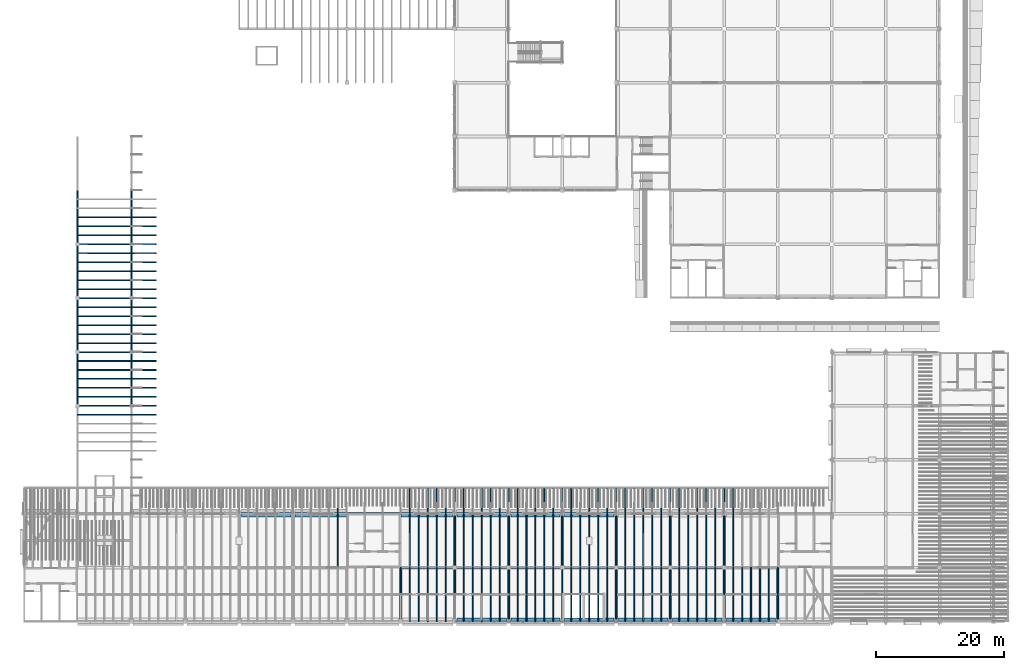
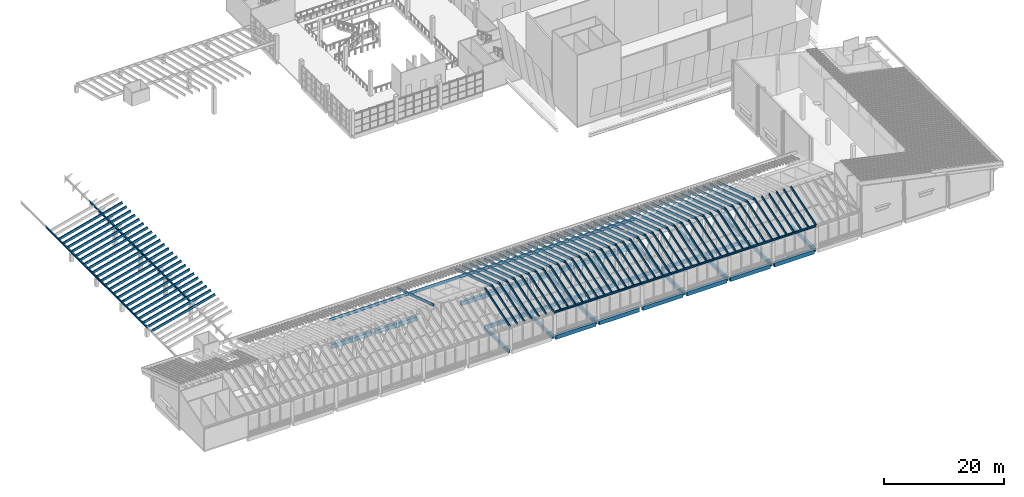
# One storey, part 4 of 59: 104 members, 52 beams.
"""IFC4 building model written with IfcOpenShell, lengths in metres."""

from ifc_helpers import new_model, si_unit, direction, frame, origin, origin_2d, place, context, subcontext, project, spatial, rectangle, i_section, extrude, material, material_profile, profile_set, type_object, element, save


model = new_model("IFC4")

# Units and contexts
model_context = context("Model", 3, precision=1e-05, world=origin(), true_north=direction((0.0, 1.0)))
body_context = subcontext(model_context, "Body", "Model", "MODEL_VIEW")
ifc_project = project(units=[si_unit("LENGTHUNIT", "METRE"), si_unit("AREAUNIT", "SQUARE_METRE"), si_unit("VOLUMEUNIT", "CUBIC_METRE"), si_unit("PLANEANGLEUNIT", "RADIAN"), si_unit("MASSUNIT", "GRAM", prefix="KILO")], contexts=[model_context])

# Site, building, storey
site_placement = place(None, origin())
site = spatial("IfcSite", under=ifc_project, at=site_placement, CompositionType="ELEMENT")
building_placement = place(site_placement, origin())
building = spatial("IfcBuilding", under=site, at=building_placement, Name="Almond Square Museum", CompositionType="ELEMENT")
storey_placement = place(building_placement, frame((0.0, 0.0, 25.0)))
storey = spatial("IfcBuildingStorey", under=building, at=storey_placement, Name="L04", CompositionType="ELEMENT", Elevation=25.0)

# Members
ifc_material_1 = material(Name="Glulam GL28h", Category="wood")
ifc_material_profile_1 = material_profile(ifc_material_1, rectangle(XDim=0.159912109375, YDim=0.5, at=origin_2d()))
ifc_profile_set_1 = profile_set([ifc_material_profile_1], Name="Glulam GL28h")
member_type = type_object("IfcMemberType", Name="Glulam rafter GL28h 160x500", PredefinedType="RAFTER", material=ifc_profile_set_1)
for number, where, z_axis, x_axis, name in (
    (1, (14.39990234375, 32.199951171875, 1.838134765625), (0.96737379846, 0.0, 0.253353377821), (0.0, 1.0, 0.0), "V4W rafter 2.12"),
    (2, (14.39990234375, 33.60009765625, 1.838134765625), (0.96737379846, 0.0, 0.253353377821), (0.0, 1.0, 0.0), "V4W rafter 2.13"),
    (3, (14.39990234375, 35.0, 1.838134765625), (0.96737379846, 0.0, 0.253353377821), (0.0, 1.0, 0.0), "V4W rafter 2.14"),
    (4, (14.39990234375, 36.39990234375, 1.838134765625), (0.96737379846, 0.0, 0.253353377821), (0.0, 1.0, 0.0), "V4W rafter 2.15"),
    (5, (14.39990234375, 37.800048828125, 1.838134765625), (0.96737379846, 0.0, 0.253353377821), (0.0, 1.0, 0.0), "V4W rafter 2.16"),
    (6, (14.39990234375, 39.199951171875, 1.838134765625), (0.96737379846, 0.0, 0.253353377821), (0.0, 1.0, 0.0), "V4W rafter 2.17"),
    (7, (14.39990234375, 40.60009765625, 1.838134765625), (0.96737379846, 0.0, 0.253353377821), (0.0, 1.0, 0.0), "V4W rafter 2.18"),
    (8, (14.39990234375, 42.0, 1.838134765625), (0.96737379846, 0.0, 0.253353377821), (0.0, 1.0, 0.0), "V4W rafter 2.19"),
    (9, (14.39990234375, 43.39990234375, 1.838134765625), (0.96737379846, 0.0, 0.253353377821), (0.0, 1.0, 0.0), "V4W rafter 2.20"),
    (10, (14.39990234375, 44.800048828125, 1.838134765625), (0.96737379846, 0.0, 0.253353377821), (0.0, 1.0, 0.0), "V4W rafter 2.21"),
    (11, (14.39990234375, 46.199951171875, 1.838134765625), (0.96737379846, 0.0, 0.253353377821), (0.0, 1.0, 0.0), "V4W rafter 2.22"),
    (12, (14.39990234375, 47.60009765625, 1.838134765625), (0.96737379846, 0.0, 0.253353377821), (0.0, 1.0, 0.0), "V4W rafter 2.23"),
    (13, (14.39990234375, 49.0, 1.838134765625), (0.96737379846, 0.0, 0.253353377821), (0.0, 1.0, 0.0), "V4W rafter 2.24"),
    (14, (14.39990234375, 50.39990234375, 1.838134765625), (0.96737379846, 0.0, 0.253353377821), (0.0, 1.0, 0.0), "V4W rafter 2.25"),
    (15, (14.39990234375, 51.800048828125, 1.838134765625), (0.96737379846, 0.0, 0.253353377821), (0.0, 1.0, 0.0), "V4W rafter 2.26"),
    (16, (14.39990234375, 53.199951171875, 1.838134765625), (0.96737379846, 0.0, 0.253353377821), (0.0, 1.0, 0.0), "V4W rafter 2.27"),
    (17, (14.39990234375, 54.60009765625, 1.838134765625), (0.96737379846, 0.0, 0.253353377821), (0.0, 1.0, 0.0), "V4W rafter 2.28"),
    (18, (14.39990234375, 56.0, 1.838134765625), (0.96737379846, 0.0, 0.253353377821), (0.0, 1.0, 0.0), "V4W rafter 2.29"),
    (19, (14.39990234375, 57.39990234375, 1.838134765625), (0.96737379846, 0.0, 0.253353377821), (0.0, 1.0, 0.0), "V4W rafter 2.30"),
    (20, (14.39990234375, 58.800048828125, 1.838134765625), (0.96737379846, 0.0, 0.253353377821), (0.0, 1.0, 0.0), "V4W rafter 2.31"),
    (21, (14.39990234375, 60.199951171875, 1.838134765625), (0.96737379846, 0.0, 0.253353377821), (0.0, 1.0, 0.0), "V4W rafter 2.32"),
    (22, (14.39990234375, 61.60009765625, 1.838134765625), (0.96737379846, 0.0, 0.253353377821), (0.0, 1.0, 0.0), "V4W rafter 2.33"),
    (23, (14.39990234375, 63.0, 1.838134765625), (0.96737379846, 0.0, 0.253353377821), (0.0, 1.0, 0.0), "V4W rafter 2.34"),
):
    element("IfcMember", number, at=place(storey_placement, frame(where, z_axis=z_axis, x_axis=x_axis)), inside=storey, type_object=member_type, Name=name, PredefinedType="RAFTER", context=body_context, shape_type="SweptSolid", body=[
        extrude(rectangle(XDim=0.159912109375, YDim=0.5, at=origin_2d()), origin(), (0.0, 0.0, 1.0), 12.6630859375),
    ])
for number, where, z_axis, x_axis, name in (
    (24, (64.800048828125, 0.0, 4.632080078125), (0.0, 0.951058036, 0.309012317167), (-1.0, 0.0, 0.0), "V5S rafter 1.43"),
    (25, (66.199951171875, 0.0, 4.632080078125), (0.0, 0.951058036, 0.309012317167), (-1.0, 0.0, 0.0), "V5S rafter 1.44"),
    (26, (67.60009765625, 0.0, 4.632080078125), (0.0, 0.951058036, 0.309012317167), (-1.0, 0.0, 0.0), "V5S rafter 1.45"),
    (27, (69.0, 0.0, 4.632080078125), (0.0, 0.951058036, 0.309012317167), (-1.0, 0.0, 0.0), "V5S rafter 1.46"),
    (28, (70.39990234375, 0.0, 4.632080078125), (0.0, 0.951058036, 0.309012317167), (-1.0, 0.0, 0.0), "V5S rafter 1.47"),
    (29, (71.800048828125, 0.0, 4.632080078125), (0.0, 0.951058036, 0.309012317167), (-1.0, 0.0, 0.0), "V5S rafter 1.48"),
    (30, (73.199951171875, 0.0, 4.632080078125), (0.0, 0.951058036, 0.309012317167), (-1.0, 0.0, 0.0), "V5S rafter 1.49"),
    (31, (74.60009765625, 0.0, 4.632080078125), (0.0, 0.951058036, 0.309012317167), (-1.0, 0.0, 0.0), "V5S rafter 1.50"),
    (32, (76.0, 0.0, 4.632080078125), (0.0, 0.951058036, 0.309012317167), (-1.0, 0.0, 0.0), "V5S rafter 1.51"),
    (33, (77.39990234375, 0.0, 4.632080078125), (0.0, 0.951058036, 0.309012317167), (-1.0, 0.0, 0.0), "V5S rafter 1.52"),
    (34, (78.800048828125, 0.0, 4.632080078125), (0.0, 0.951058036, 0.309012317167), (-1.0, 0.0, 0.0), "V5S rafter 1.53"),
    (35, (80.199951171875, 0.0, 4.632080078125), (0.0, 0.951058036, 0.309012317167), (-1.0, 0.0, 0.0), "V5S rafter 1.54"),
    (36, (81.60009765625, 0.0, 4.632080078125), (0.0, 0.951058036, 0.309012317167), (-1.0, 0.0, 0.0), "V5S rafter 1.55"),
    (37, (83.0, 0.0, 4.632080078125), (0.0, 0.951058036, 0.309012317167), (-1.0, 0.0, 0.0), "V5S rafter 1.56"),
    (38, (84.39990234375, 0.0, 4.632080078125), (0.0, 0.951058036, 0.309012317167), (-1.0, 0.0, 0.0), "V5S rafter 1.57"),
    (39, (85.800048828125, 0.0, 4.632080078125), (0.0, 0.951058036, 0.309012317167), (-1.0, 0.0, 0.0), "V5S rafter 1.58"),
    (40, (87.199951171875, 0.0, 4.632080078125), (0.0, 0.951058036, 0.309012317167), (-1.0, 0.0, 0.0), "V5S rafter 1.59"),
    (41, (88.60009765625, 0.0, 4.632080078125), (0.0, 0.951058036, 0.309012317167), (-1.0, 0.0, 0.0), "V5S rafter 1.60"),
    (42, (90.0, 0.0, 4.632080078125), (0.0, 0.951058036, 0.309012317167), (-1.0, 0.0, 0.0), "V5S rafter 1.61"),
    (43, (91.39990234375, 0.0, 4.632080078125), (0.0, 0.951058036, 0.309012317167), (-1.0, 0.0, 0.0), "V5S rafter 1.62"),
    (44, (92.800048828125, 0.0, 4.632080078125), (0.0, 0.951058036, 0.309012317167), (-1.0, 0.0, 0.0), "V5S rafter 1.63"),
    (45, (94.199951171875, 0.0, 4.632080078125), (0.0, 0.951058036, 0.309012317167), (-1.0, 0.0, 0.0), "V5S rafter 1.64"),
    (46, (95.60009765625, 0.0, 4.632080078125), (0.0, 0.951058036, 0.309012317167), (-1.0, 0.0, 0.0), "V5S rafter 1.65"),
    (47, (97.0, 0.0, 4.632080078125), (0.0, 0.951058036, 0.309012317167), (-1.0, 0.0, 0.0), "V5S rafter 1.66"),
    (48, (98.39990234375, 0.0, 4.632080078125), (0.0, 0.951058036, 0.309012317167), (-1.0, 0.0, 0.0), "V5S rafter 1.67"),
    (49, (99.800048828125, 0.0, 4.632080078125), (0.0, 0.951058036, 0.309012317167), (-1.0, 0.0, 0.0), "V5S rafter 1.68"),
    (50, (101.199951171875, 0.0, 4.632080078125), (0.0, 0.951058036, 0.309012317167), (-1.0, 0.0, 0.0), "V5S rafter 1.69"),
    (51, (102.60009765625, 0.0, 4.632080078125), (0.0, 0.951058036, 0.309012317167), (-1.0, 0.0, 0.0), "V5S rafter 1.70"),
    (52, (104.0, 0.0, 4.632080078125), (0.0, 0.951058036, 0.309012317167), (-1.0, 0.0, 0.0), "V5S rafter 1.71"),
    (53, (105.39990234375, 0.0, 4.632080078125), (0.0, 0.951058036, 0.309012317167), (-1.0, 0.0, 0.0), "V5S rafter 1.72"),
    (54, (106.800048828125, 0.0, 4.632080078125), (0.0, 0.951058036, 0.309012317167), (-1.0, 0.0, 0.0), "V5S rafter 1.73"),
    (55, (108.199951171875, 0.0, 4.632080078125), (0.0, 0.951058036, 0.309012317167), (-1.0, 0.0, 0.0), "V5S rafter 1.74"),
    (56, (109.60009765625, 0.0, 4.632080078125), (0.0, 0.951058036, 0.309012317167), (-1.0, 0.0, 0.0), "V5S rafter 1.75"),
    (57, (111.0, 0.0, 4.632080078125), (0.0, 0.951058036, 0.309012317167), (-1.0, 0.0, 0.0), "V5S rafter 1.76"),
    (58, (112.39990234375, 0.0, 4.632080078125), (0.0, 0.951058036, 0.309012317167), (-1.0, 0.0, 0.0), "V5S rafter 1.77"),
    (59, (113.800048828125, 0.0, 4.632080078125), (0.0, 0.951058036, 0.309012317167), (-1.0, 0.0, 0.0), "V5S rafter 1.78"),
    (60, (115.199951171875, 0.0, 4.632080078125), (0.0, 0.951058036, 0.309012317167), (-1.0, 0.0, 0.0), "V5S rafter 1.79"),
    (61, (116.60009765625, 0.0, 4.632080078125), (0.0, 0.951058036, 0.309012317167), (-1.0, 0.0, 0.0), "V5S rafter 1.80"),
    (62, (118.0, 0.0, 4.632080078125), (0.0, 0.951058036, 0.309012317167), (-1.0, 0.0, 0.0), "V5S rafter 1.81"),
    (63, (119.39990234375, 0.0, 4.632080078125), (0.0, 0.951058036, 0.309012317167), (-1.0, 0.0, 0.0), "V5S rafter 1.82"),
    (64, (120.800048828125, 0.0, 4.632080078125), (0.0, 0.951058036, 0.309012317167), (-1.0, 0.0, 0.0), "V5S rafter 1.83"),
    (65, (122.199951171875, 0.0, 4.632080078125), (0.0, 0.951058036, 0.309012317167), (-1.0, 0.0, 0.0), "V5S rafter 1.84"),
    (66, (123.60009765625, 0.0, 4.632080078125), (0.0, 0.951058036, 0.309012317167), (-1.0, 0.0, 0.0), "V5S rafter 1.85"),
):
    element("IfcMember", number, at=place(storey_placement, frame(where, z_axis=z_axis, x_axis=x_axis)), inside=storey, type_object=member_type, Name=name, PredefinedType="RAFTER", context=body_context, shape_type="SweptSolid", body=[
        extrude(rectangle(XDim=0.159912109375, YDim=0.5, at=origin_2d()), origin(), (0.0, 0.0, 1.0), 8.832275390625),
    ])
for number, where, z_axis, x_axis, name in (
    (67, (55.0, 8.39990234375, 7.361328125), (0.0, 0.951057467065, -0.309014068191), (-1.0, 0.0, 0.0), "V5S rafter 1.36"),
    (68, (66.199951171875, 8.39990234375, 7.361328125), (0.0, 0.951057467065, -0.309014068191), (-1.0, 0.0, 0.0), "V5S rafter 1.44"),
    (69, (67.60009765625, 8.39990234375, 7.361328125), (0.0, 0.951057467065, -0.309014068191), (-1.0, 0.0, 0.0), "V5S rafter 1.45"),
    (70, (69.0, 8.39990234375, 7.361328125), (0.0, 0.951057467065, -0.309014068191), (-1.0, 0.0, 0.0), "V5S rafter 1.46"),
    (71, (70.39990234375, 8.39990234375, 7.361328125), (0.0, 0.951057467065, -0.309014068191), (-1.0, 0.0, 0.0), "V5S rafter 1.47"),
    (72, (71.800048828125, 8.39990234375, 7.361328125), (0.0, 0.951057467065, -0.309014068191), (-1.0, 0.0, 0.0), "V5S rafter 1.48"),
    (73, (73.199951171875, 8.39990234375, 7.361328125), (0.0, 0.951057467065, -0.309014068191), (-1.0, 0.0, 0.0), "V5S rafter 1.49"),
    (74, (74.60009765625, 8.39990234375, 7.361328125), (0.0, 0.951057467065, -0.309014068191), (-1.0, 0.0, 0.0), "V5S rafter 1.50"),
    (75, (76.0, 8.39990234375, 7.361328125), (0.0, 0.951057467065, -0.309014068191), (-1.0, 0.0, 0.0), "V5S rafter 1.51"),
    (76, (77.39990234375, 8.39990234375, 7.361328125), (0.0, 0.951057467065, -0.309014068191), (-1.0, 0.0, 0.0), "V5S rafter 1.52"),
    (77, (78.800048828125, 8.39990234375, 7.361328125), (0.0, 0.951057467065, -0.309014068191), (-1.0, 0.0, 0.0), "V5S rafter 1.53"),
    (78, (80.199951171875, 8.39990234375, 7.361328125), (0.0, 0.951057467065, -0.309014068191), (-1.0, 0.0, 0.0), "V5S rafter 1.54"),
    (79, (81.60009765625, 8.39990234375, 7.361328125), (0.0, 0.951057467065, -0.309014068191), (-1.0, 0.0, 0.0), "V5S rafter 1.55"),
    (80, (83.0, 8.39990234375, 7.361328125), (0.0, 0.951057467065, -0.309014068191), (-1.0, 0.0, 0.0), "V5S rafter 1.56"),
    (81, (84.39990234375, 8.39990234375, 7.361328125), (0.0, 0.951057467065, -0.309014068191), (-1.0, 0.0, 0.0), "V5S rafter 1.57"),
    (82, (85.800048828125, 8.39990234375, 7.361328125), (0.0, 0.951057467065, -0.309014068191), (-1.0, 0.0, 0.0), "V5S rafter 1.58"),
    (83, (87.199951171875, 8.39990234375, 7.361328125), (0.0, 0.951057467065, -0.309014068191), (-1.0, 0.0, 0.0), "V5S rafter 1.59"),
    (84, (88.60009765625, 8.39990234375, 7.361328125), (0.0, 0.951057467065, -0.309014068191), (-1.0, 0.0, 0.0), "V5S rafter 1.60"),
    (85, (90.0, 8.39990234375, 7.361328125), (0.0, 0.951057467065, -0.309014068191), (-1.0, 0.0, 0.0), "V5S rafter 1.61"),
    (86, (91.39990234375, 8.39990234375, 7.361328125), (0.0, 0.951057467065, -0.309014068191), (-1.0, 0.0, 0.0), "V5S rafter 1.62"),
    (87, (92.800048828125, 8.39990234375, 7.361328125), (0.0, 0.951057467065, -0.309014068191), (-1.0, 0.0, 0.0), "V5S rafter 1.63"),
    (88, (94.199951171875, 8.39990234375, 7.361328125), (0.0, 0.951057467065, -0.309014068191), (-1.0, 0.0, 0.0), "V5S rafter 1.64"),
    (89, (95.60009765625, 8.39990234375, 7.361328125), (0.0, 0.951057467065, -0.309014068191), (-1.0, 0.0, 0.0), "V5S rafter 1.65"),
    (90, (97.0, 8.39990234375, 7.361328125), (0.0, 0.951057467065, -0.309014068191), (-1.0, 0.0, 0.0), "V5S rafter 1.66"),
    (91, (98.39990234375, 8.39990234375, 7.361328125), (0.0, 0.951057467065, -0.309014068191), (-1.0, 0.0, 0.0), "V5S rafter 1.67"),
    (92, (99.800048828125, 8.39990234375, 7.361328125), (0.0, 0.951057467065, -0.309014068191), (-1.0, 0.0, 0.0), "V5S rafter 1.68"),
    (93, (101.199951171875, 8.39990234375, 7.361328125), (0.0, 0.951057467065, -0.309014068191), (-1.0, 0.0, 0.0), "V5S rafter 1.69"),
    (94, (102.60009765625, 8.39990234375, 7.361328125), (0.0, 0.951057467065, -0.309014068191), (-1.0, 0.0, 0.0), "V5S rafter 1.70"),
    (95, (104.0, 8.39990234375, 7.361328125), (0.0, 0.951057467065, -0.309014068191), (-1.0, 0.0, 0.0), "V5S rafter 1.71"),
    (96, (105.39990234375, 8.39990234375, 7.361328125), (0.0, 0.951057467065, -0.309014068191), (-1.0, 0.0, 0.0), "V5S rafter 1.72"),
    (97, (106.800048828125, 8.39990234375, 7.361328125), (0.0, 0.951057467065, -0.309014068191), (-1.0, 0.0, 0.0), "V5S rafter 1.73"),
    (98, (108.199951171875, 8.39990234375, 7.361328125), (0.0, 0.951057467065, -0.309014068191), (-1.0, 0.0, 0.0), "V5S rafter 1.74"),
    (99, (109.60009765625, 8.39990234375, 7.361328125), (0.0, 0.951057467065, -0.309014068191), (-1.0, 0.0, 0.0), "V5S rafter 1.75"),
    (100, (111.0, 8.39990234375, 7.361328125), (0.0, 0.951057467065, -0.309014068191), (-1.0, 0.0, 0.0), "V5S rafter 1.76"),
    (101, (112.39990234375, 8.39990234375, 7.361328125), (0.0, 0.951057467065, -0.309014068191), (-1.0, 0.0, 0.0), "V5S rafter 1.77"),
    (102, (113.800048828125, 8.39990234375, 7.361328125), (0.0, 0.951057467065, -0.309014068191), (-1.0, 0.0, 0.0), "V5S rafter 1.78"),
    (103, (115.199951171875, 8.39990234375, 7.361328125), (0.0, 0.951057467065, -0.309014068191), (-1.0, 0.0, 0.0), "V5S rafter 1.79"),
    (104, (116.60009765625, 8.39990234375, 7.361328125), (0.0, 0.951057467065, -0.309014068191), (-1.0, 0.0, 0.0), "V5S rafter 1.80"),
):
    element("IfcMember", number, at=place(storey_placement, frame(where, z_axis=z_axis, x_axis=x_axis)), inside=storey, type_object=member_type, Name=name, PredefinedType="RAFTER", context=body_context, shape_type="SweptSolid", body=[
        extrude(rectangle(XDim=0.159912109375, YDim=0.5, at=origin_2d()), origin(), (0.0, 0.0, 1.0), 12.88037109375),
    ])

# Beams
ifc_material_2 = material(Name="Concrete C40/50", Category="concrete")
ifc_material_profile_2 = material_profile(ifc_material_2, rectangle(XDim=0.39990234375, YDim=0.699951171875, at=origin_2d()))
ifc_profile_set_2 = profile_set([ifc_material_profile_2], Name="Concrete C40/50")
beam_type_1 = type_object("IfcBeamType", Name="RC beam 400 x 700 C40/50", PredefinedType="BEAM", material=ifc_profile_set_2)
beam_1_placement = place(storey_placement, frame((64.800048828125, 8.39990234375, -0.60009765625), z_axis=(1.0, 0.0, 0.0), x_axis=(0.0, 1.0, 0.0)))
element("IfcBeam", 105, at=beam_1_placement, inside=storey, type_object=beam_type_1, Name="Beam B 9-10 L04", PredefinedType="BEAM", context=body_context, shape_type="SweptSolid", body=[
    extrude(rectangle(XDim=0.39990234375, YDim=0.699951171875, at=origin_2d()), origin(), (0.0, 0.0, 1.0), 8.050048828125),
])
for number, where, z_axis, x_axis, name in (
    (106, (73.550048828125, 8.39990234375, -0.60009765625), (1.0, 0.0, 0.0), (0.0, 1.0, 0.0), "Beam B 10-11 L04"),
    (107, (81.949951171875, 8.39990234375, -0.60009765625), (1.0, 0.0, 0.0), (0.0, 1.0, 0.0), "Beam B 11-12 L04"),
    (108, (90.35009765625, 8.39990234375, -0.60009765625), (1.0, 0.0, 0.0), (0.0, 1.0, 0.0), "Beam B 12-13 L04"),
    (109, (98.75, 8.39990234375, -0.60009765625), (1.0, 0.0, 0.0), (0.0, 1.0, 0.0), "Beam B 13-14 L04"),
):
    element("IfcBeam", number, at=place(storey_placement, frame(where, z_axis=z_axis, x_axis=x_axis)), inside=storey, type_object=beam_type_1, Name=name, PredefinedType="BEAM", context=body_context, shape_type="SweptSolid", body=[
        extrude(rectangle(XDim=0.39990234375, YDim=0.699951171875, at=origin_2d()), origin(), (0.0, 0.0, 1.0), 7.699951171875),
    ])
beam_2_placement = place(storey_placement, frame((107.14990234375, 8.39990234375, -0.60009765625), z_axis=(1.0, 0.0, 0.0), x_axis=(0.0, 1.0, 0.0)))
element("IfcBeam", 110, at=beam_2_placement, inside=storey, type_object=beam_type_1, Name="Beam B 14-15 L04", PredefinedType="BEAM", context=body_context, shape_type="SweptSolid", body=[
    extrude(rectangle(XDim=0.39990234375, YDim=0.699951171875, at=origin_2d()), origin(), (0.0, 0.0, 1.0), 7.7001953125),
])
beam_3_placement = place(storey_placement, frame((64.800048828125, 0.35009765625, -0.60009765625), z_axis=(0.0, 1.0, 0.0), x_axis=(-1.0, 0.0, 0.0)))
element("IfcBeam", 111, at=beam_3_placement, inside=storey, type_object=beam_type_1, Name="Beam 9 A-B L04", PredefinedType="BEAM", context=body_context, shape_type="SweptSolid", body=[
    extrude(rectangle(XDim=0.39990234375, YDim=0.699951171875, at=origin_2d()), origin(), (0.0, 0.0, 1.0), 8.0498046875),
])
for number, where, z_axis, x_axis, name in (
    (112, (73.199951171875, 0.35009765625, -0.60009765625), (0.0, 1.0, 0.0), (-1.0, 0.0, 0.0), "Beam 10 A-B L04"),
    (113, (73.199951171875, 8.75, -0.60009765625), (0.0, 1.0, 0.0), (-1.0, 0.0, 0.0), "Beam 10 B-C L04"),
    (114, (81.60009765625, 0.35009765625, -0.60009765625), (0.0, 1.0, 0.0), (-1.0, 0.0, 0.0), "Beam 11 A-B L04"),
    (115, (81.60009765625, 8.75, -0.60009765625), (0.0, 1.0, 0.0), (-1.0, 0.0, 0.0), "Beam 11 B-C L04"),
    (116, (90.0, 8.75, -0.60009765625), (0.0, 1.0, 0.0), (-1.0, 0.0, 0.0), "Beam 12 B-C L04"),
    (117, (98.39990234375, 0.35009765625, -0.60009765625), (0.0, 1.0, 0.0), (-1.0, 0.0, 0.0), "Beam 13 A-B L04"),
    (118, (98.39990234375, 8.75, -0.60009765625), (0.0, 1.0, 0.0), (-1.0, 0.0, 0.0), "Beam 13 B-C L04"),
    (119, (106.800048828125, 0.35009765625, -0.60009765625), (0.0, 1.0, 0.0), (-1.0, 0.0, 0.0), "Beam 14 A-B L04"),
    (120, (106.800048828125, 8.75, -0.60009765625), (0.0, 1.0, 0.0), (-1.0, 0.0, 0.0), "Beam 14 B-C L04"),
    (121, (115.199951171875, 0.35009765625, -0.60009765625), (0.0, 1.0, 0.0), (-1.0, 0.0, 0.0), "Beam 15 A-B L04"),
    (122, (115.199951171875, 8.75, -0.60009765625), (0.0, 1.0, 0.0), (-1.0, 0.0, 0.0), "Beam 15 B-C L04"),
):
    element("IfcBeam", number, at=place(storey_placement, frame(where, z_axis=z_axis, x_axis=x_axis)), inside=storey, type_object=beam_type_1, Name=name, PredefinedType="BEAM", context=body_context, shape_type="SweptSolid", body=[
        extrude(rectangle(XDim=0.39990234375, YDim=0.699951171875, at=origin_2d()), origin(), (0.0, 0.0, 1.0), 7.699951171875),
    ])
beam_4_placement = place(storey_placement, frame((123.60009765625, 0.35009765625, -0.60009765625), z_axis=(0.0, 1.0, 0.0), x_axis=(-1.0, 0.0, 0.0)))
element("IfcBeam", 123, at=beam_4_placement, inside=storey, type_object=beam_type_1, Name="Beam 16 A-B L04", PredefinedType="BEAM", context=body_context, shape_type="SweptSolid", body=[
    extrude(rectangle(XDim=0.39990234375, YDim=0.699951171875, at=origin_2d()), origin(), (0.0, 0.0, 1.0), 8.0498046875),
])
ifc_material_3 = material(Name="Concrete C40/50", Category="concrete")
ifc_material_profile_3 = material_profile(ifc_material_3, rectangle(XDim=0.5, YDim=0.800048828125, at=origin_2d()))
ifc_profile_set_3 = profile_set([ifc_material_profile_3], Name="Concrete C40/50")
beam_type_2 = type_object("IfcBeamType", Name="RC edge beam 500 x 800 C40/50", PredefinedType="BEAM", material=ifc_profile_set_3)
for number, where, z_axis, x_axis, name in (
    (124, (73.550048828125, 0.25, -0.64990234375), (1.0, 0.0, 0.0), (0.0, 1.0, 0.0), "Edge beam A 10-11 L04"),
    (125, (81.949951171875, 0.25, -0.64990234375), (1.0, 0.0, 0.0), (0.0, 1.0, 0.0), "Edge beam A 11-12 L04"),
    (126, (90.35009765625, 0.25, -0.64990234375), (1.0, 0.0, 0.0), (0.0, 1.0, 0.0), "Edge beam A 12-13 L04"),
    (127, (98.75, 0.25, -0.64990234375), (1.0, 0.0, 0.0), (0.0, 1.0, 0.0), "Edge beam A 13-14 L04"),
):
    element("IfcBeam", number, at=place(storey_placement, frame(where, z_axis=z_axis, x_axis=x_axis)), inside=storey, type_object=beam_type_2, Name=name, PredefinedType="BEAM", context=body_context, shape_type="SweptSolid", body=[
        extrude(rectangle(XDim=0.5, YDim=0.800048828125, at=origin_2d()), origin(), (0.0, 0.0, 1.0), 7.699951171875),
    ])
beam_5_placement = place(storey_placement, frame((107.14990234375, 0.25, -0.64990234375), z_axis=(1.0, 0.0, 0.0), x_axis=(0.0, 1.0, 0.0)))
element("IfcBeam", 128, at=beam_5_placement, inside=storey, type_object=beam_type_2, Name="Edge beam A 14-15 L04", PredefinedType="BEAM", context=body_context, shape_type="SweptSolid", body=[
    extrude(rectangle(XDim=0.5, YDim=0.800048828125, at=origin_2d()), origin(), (0.0, 0.0, 1.0), 7.7001953125),
])
for number, where, z_axis, x_axis, name in (
    (129, (115.550048828125, 0.25, -0.64990234375), (1.0, 0.0, 0.0), (0.0, 1.0, 0.0), "Edge beam A 15-16 L04"),
    (130, (39.949951171875, 16.550048828125, -0.64990234375), (1.0, 0.0, 0.0), (0.0, 1.0, 0.0), "Edge beam C 6-7 L04"),
):
    element("IfcBeam", number, at=place(storey_placement, frame(where, z_axis=z_axis, x_axis=x_axis)), inside=storey, type_object=beam_type_2, Name=name, PredefinedType="BEAM", context=body_context, shape_type="SweptSolid", body=[
        extrude(rectangle(XDim=0.5, YDim=0.800048828125, at=origin_2d()), origin(), (0.0, 0.0, 1.0), 7.699951171875),
    ])
beam_6_placement = place(storey_placement, frame((48.35009765625, 16.550048828125, -0.64990234375), z_axis=(1.0, 0.0, 0.0), x_axis=(0.0, 1.0, 0.0)))
element("IfcBeam", 131, at=beam_6_placement, inside=storey, type_object=beam_type_2, Name="Edge beam C 7-8 L04", PredefinedType="BEAM", context=body_context, shape_type="SweptSolid", body=[
    extrude(rectangle(XDim=0.5, YDim=0.800048828125, at=origin_2d()), origin(), (0.0, 0.0, 1.0), 8.0498046875),
])
beam_7_placement = place(storey_placement, frame((64.800048828125, 16.550048828125, -0.64990234375), z_axis=(1.0, 0.0, 0.0), x_axis=(0.0, 1.0, 0.0)))
element("IfcBeam", 132, at=beam_7_placement, inside=storey, type_object=beam_type_2, Name="Edge beam C 9-10 L04", PredefinedType="BEAM", context=body_context, shape_type="SweptSolid", body=[
    extrude(rectangle(XDim=0.5, YDim=0.800048828125, at=origin_2d()), origin(), (0.0, 0.0, 1.0), 8.050048828125),
])
for number, where, z_axis, x_axis, name in (
    (133, (73.550048828125, 16.550048828125, -0.64990234375), (1.0, 0.0, 0.0), (0.0, 1.0, 0.0), "Edge beam C 10-11 L04"),
    (134, (81.949951171875, 16.550048828125, -0.64990234375), (1.0, 0.0, 0.0), (0.0, 1.0, 0.0), "Edge beam C 11-12 L04"),
    (135, (90.35009765625, 16.550048828125, -0.64990234375), (1.0, 0.0, 0.0), (0.0, 1.0, 0.0), "Edge beam C 12-13 L04"),
):
    element("IfcBeam", number, at=place(storey_placement, frame(where, z_axis=z_axis, x_axis=x_axis)), inside=storey, type_object=beam_type_2, Name=name, PredefinedType="BEAM", context=body_context, shape_type="SweptSolid", body=[
        extrude(rectangle(XDim=0.5, YDim=0.800048828125, at=origin_2d()), origin(), (0.0, 0.0, 1.0), 7.699951171875),
    ])
ifc_material_4 = material(Name="Structural steel S355", Category="steel")
ifc_material_profile_4 = material_profile(ifc_material_4, i_section(OverallWidth=0.208984375, OverallDepth=0.532958984375, WebThickness=0.01025390625, FlangeThickness=0.015625, at=origin_2d()))
ifc_profile_set_4 = profile_set([ifc_material_profile_4], Name="Structural steel S355")
beam_type_3 = type_object("IfcBeamType", Name="Roof beam W530x92", PredefinedType="BEAM", material=ifc_profile_set_4)
for number, where, z_axis, x_axis, name in (
    (136, (14.39990234375, 33.60009765625, 1.821044921875), (0.0, 1.0, 0.0), (-0.967372193034, 0.0, -0.253359507704), "V4W roof beam 2.3"),
    (137, (14.39990234375, 42.0, 1.821044921875), (0.0, 1.0, 0.0), (-0.967372193034, 0.0, -0.253359507704), "V4W roof beam 2.4"),
):
    element("IfcBeam", number, at=place(storey_placement, frame(where, z_axis=z_axis, x_axis=x_axis)), inside=storey, type_object=beam_type_3, Name=name, PredefinedType="BEAM", context=body_context, shape_type="SweptSolid", body=[
        extrude(i_section(OverallWidth=0.208984375, OverallDepth=0.532958984375, WebThickness=0.01025390625, FlangeThickness=0.015625, at=origin_2d()), origin(), (0.0, 0.0, 1.0), 8.39990234375),
    ])
beam_8_placement = place(storey_placement, frame((14.39990234375, 50.39990234375, 1.821044921875), z_axis=(0.0, 1.0, 0.0), x_axis=(-0.967372193034, 0.0, -0.253359507704)))
element("IfcBeam", 138, at=beam_8_placement, inside=storey, type_object=beam_type_3, Name="V4W roof beam 2.5", PredefinedType="BEAM", context=body_context, shape_type="SweptSolid", body=[
    extrude(i_section(OverallWidth=0.208984375, OverallDepth=0.532958984375, WebThickness=0.01025390625, FlangeThickness=0.015625, at=origin_2d()), origin(), (0.0, 0.0, 1.0), 8.400146484375),
])
for number, where, z_axis, x_axis, name in (
    (139, (14.39990234375, 58.800048828125, 1.821044921875), (0.0, 1.0, 0.0), (-0.967372193034, 0.0, -0.253359507704), "V4W roof beam 2.6"),
    (140, (22.800048828125, 33.60009765625, 4.02099609375), (0.0, 1.0, 0.0), (-0.967372193034, 0.0, -0.253359507704), "V4W roof beam 3.3"),
    (141, (22.800048828125, 42.0, 4.02099609375), (0.0, 1.0, 0.0), (-0.967372193034, 0.0, -0.253359507704), "V4W roof beam 3.4"),
):
    element("IfcBeam", number, at=place(storey_placement, frame(where, z_axis=z_axis, x_axis=x_axis)), inside=storey, type_object=beam_type_3, Name=name, PredefinedType="BEAM", context=body_context, shape_type="SweptSolid", body=[
        extrude(i_section(OverallWidth=0.208984375, OverallDepth=0.532958984375, WebThickness=0.01025390625, FlangeThickness=0.015625, at=origin_2d()), origin(), (0.0, 0.0, 1.0), 8.39990234375),
    ])
beam_9_placement = place(storey_placement, frame((22.800048828125, 50.39990234375, 4.02099609375), z_axis=(0.0, 1.0, 0.0), x_axis=(-0.967372193034, 0.0, -0.253359507704)))
element("IfcBeam", 142, at=beam_9_placement, inside=storey, type_object=beam_type_3, Name="V4W roof beam 3.5", PredefinedType="BEAM", context=body_context, shape_type="SweptSolid", body=[
    extrude(i_section(OverallWidth=0.208984375, OverallDepth=0.532958984375, WebThickness=0.01025390625, FlangeThickness=0.015625, at=origin_2d()), origin(), (0.0, 0.0, 1.0), 8.400146484375),
])
beam_10_placement = place(storey_placement, frame((22.800048828125, 58.800048828125, 4.02099609375), z_axis=(0.0, 1.0, 0.0), x_axis=(-0.967372193034, 0.0, -0.253359507704)))
element("IfcBeam", 143, at=beam_10_placement, inside=storey, type_object=beam_type_3, Name="V4W roof beam 3.6", PredefinedType="BEAM", context=body_context, shape_type="SweptSolid", body=[
    extrude(i_section(OverallWidth=0.208984375, OverallDepth=0.532958984375, WebThickness=0.01025390625, FlangeThickness=0.015625, at=origin_2d()), origin(), (0.0, 0.0, 1.0), 8.39990234375),
])
beam_11_placement = place(storey_placement, frame((73.199951171875, 0.0, 4.614501953125), z_axis=(1.0, 0.0, 0.0), x_axis=(0.0, 0.951056516295, 0.309016994375)))
element("IfcBeam", 144, at=beam_11_placement, inside=storey, type_object=beam_type_3, Name="V5S roof beam 1.9", PredefinedType="BEAM", context=body_context, shape_type="SweptSolid", body=[
    extrude(i_section(OverallWidth=0.208984375, OverallDepth=0.532958984375, WebThickness=0.01025390625, FlangeThickness=0.015625, at=origin_2d()), origin(), (0.0, 0.0, 1.0), 8.400146484375),
])
for number, where, z_axis, x_axis, name in (
    (145, (81.60009765625, 0.0, 4.614501953125), (1.0, 0.0, 0.0), (0.0, 0.951056516295, 0.309016994375), "V5S roof beam 1.10"),
    (146, (90.0, 0.0, 4.614501953125), (1.0, 0.0, 0.0), (0.0, 0.951056516295, 0.309016994375), "V5S roof beam 1.11"),
):
    element("IfcBeam", number, at=place(storey_placement, frame(where, z_axis=z_axis, x_axis=x_axis)), inside=storey, type_object=beam_type_3, Name=name, PredefinedType="BEAM", context=body_context, shape_type="SweptSolid", body=[
        extrude(i_section(OverallWidth=0.208984375, OverallDepth=0.532958984375, WebThickness=0.01025390625, FlangeThickness=0.015625, at=origin_2d()), origin(), (0.0, 0.0, 1.0), 8.39990234375),
    ])
beam_12_placement = place(storey_placement, frame((98.39990234375, 0.0, 4.614501953125), z_axis=(1.0, 0.0, 0.0), x_axis=(0.0, 0.951056516295, 0.309016994375)))
element("IfcBeam", 147, at=beam_12_placement, inside=storey, type_object=beam_type_3, Name="V5S roof beam 1.12", PredefinedType="BEAM", context=body_context, shape_type="SweptSolid", body=[
    extrude(i_section(OverallWidth=0.208984375, OverallDepth=0.532958984375, WebThickness=0.01025390625, FlangeThickness=0.015625, at=origin_2d()), origin(), (0.0, 0.0, 1.0), 8.400146484375),
])
beam_13_placement = place(storey_placement, frame((106.800048828125, 0.0, 4.614501953125), z_axis=(1.0, 0.0, 0.0), x_axis=(0.0, 0.951056516295, 0.309016994375)))
element("IfcBeam", 148, at=beam_13_placement, inside=storey, type_object=beam_type_3, Name="V5S roof beam 1.13", PredefinedType="BEAM", context=body_context, shape_type="SweptSolid", body=[
    extrude(i_section(OverallWidth=0.208984375, OverallDepth=0.532958984375, WebThickness=0.01025390625, FlangeThickness=0.015625, at=origin_2d()), origin(), (0.0, 0.0, 1.0), 8.39990234375),
])
beam_14_placement = place(storey_placement, frame((115.199951171875, 0.0, 4.614501953125), z_axis=(1.0, 0.0, 0.0), x_axis=(0.0, 0.951056516295, 0.309016994375)))
element("IfcBeam", 149, at=beam_14_placement, inside=storey, type_object=beam_type_3, Name="V5S roof beam 1.14", PredefinedType="BEAM", context=body_context, shape_type="SweptSolid", body=[
    extrude(i_section(OverallWidth=0.208984375, OverallDepth=0.532958984375, WebThickness=0.01025390625, FlangeThickness=0.015625, at=origin_2d()), origin(), (0.0, 0.0, 1.0), 8.400146484375),
])
for number, where, z_axis, x_axis, name in (
    (150, (39.60009765625, 16.800048828125, 4.614501953125), (1.0, 0.0, 0.0), (0.0, 0.951056516295, -0.309016994375), "V5S roof beam 2.5"),
    (151, (48.0, 16.800048828125, 4.614501953125), (1.0, 0.0, 0.0), (0.0, 0.951056516295, -0.309016994375), "V5S roof beam 2.6"),
):
    element("IfcBeam", number, at=place(storey_placement, frame(where, z_axis=z_axis, x_axis=x_axis)), inside=storey, type_object=beam_type_3, Name=name, PredefinedType="BEAM", context=body_context, shape_type="SweptSolid", body=[
        extrude(i_section(OverallWidth=0.208984375, OverallDepth=0.532958984375, WebThickness=0.01025390625, FlangeThickness=0.015625, at=origin_2d()), origin(), (0.0, 0.0, 1.0), 8.39990234375),
    ])
beam_15_placement = place(storey_placement, frame((56.39990234375, 16.800048828125, 4.614501953125), z_axis=(1.0, 0.0, 0.0), x_axis=(0.0, 0.951056516295, -0.309016994375)))
element("IfcBeam", 152, at=beam_15_placement, inside=storey, type_object=beam_type_3, Name="V5S roof beam 2.7", PredefinedType="BEAM", context=body_context, shape_type="SweptSolid", body=[
    extrude(i_section(OverallWidth=0.208984375, OverallDepth=0.532958984375, WebThickness=0.01025390625, FlangeThickness=0.015625, at=origin_2d()), origin(), (0.0, 0.0, 1.0), 8.400146484375),
])
beam_16_placement = place(storey_placement, frame((64.800048828125, 16.800048828125, 4.614501953125), z_axis=(1.0, 0.0, 0.0), x_axis=(0.0, 0.951056516295, -0.309016994375)))
element("IfcBeam", 153, at=beam_16_placement, inside=storey, type_object=beam_type_3, Name="V5S roof beam 2.8", PredefinedType="BEAM", context=body_context, shape_type="SweptSolid", body=[
    extrude(i_section(OverallWidth=0.208984375, OverallDepth=0.532958984375, WebThickness=0.01025390625, FlangeThickness=0.015625, at=origin_2d()), origin(), (0.0, 0.0, 1.0), 8.39990234375),
])
beam_17_placement = place(storey_placement, frame((73.199951171875, 16.800048828125, 4.614501953125), z_axis=(1.0, 0.0, 0.0), x_axis=(0.0, 0.951056516295, -0.309016994375)))
element("IfcBeam", 154, at=beam_17_placement, inside=storey, type_object=beam_type_3, Name="V5S roof beam 2.9", PredefinedType="BEAM", context=body_context, shape_type="SweptSolid", body=[
    extrude(i_section(OverallWidth=0.208984375, OverallDepth=0.532958984375, WebThickness=0.01025390625, FlangeThickness=0.015625, at=origin_2d()), origin(), (0.0, 0.0, 1.0), 8.400146484375),
])
for number, where, z_axis, x_axis, name in (
    (155, (81.60009765625, 16.800048828125, 4.614501953125), (1.0, 0.0, 0.0), (0.0, 0.951056516295, -0.309016994375), "V5S roof beam 2.10"),
    (156, (90.0, 16.800048828125, 4.614501953125), (1.0, 0.0, 0.0), (0.0, 0.951056516295, -0.309016994375), "V5S roof beam 2.11"),
):
    element("IfcBeam", number, at=place(storey_placement, frame(where, z_axis=z_axis, x_axis=x_axis)), inside=storey, type_object=beam_type_3, Name=name, PredefinedType="BEAM", context=body_context, shape_type="SweptSolid", body=[
        extrude(i_section(OverallWidth=0.208984375, OverallDepth=0.532958984375, WebThickness=0.01025390625, FlangeThickness=0.015625, at=origin_2d()), origin(), (0.0, 0.0, 1.0), 8.39990234375),
    ])

save(model, "model.ifc")
